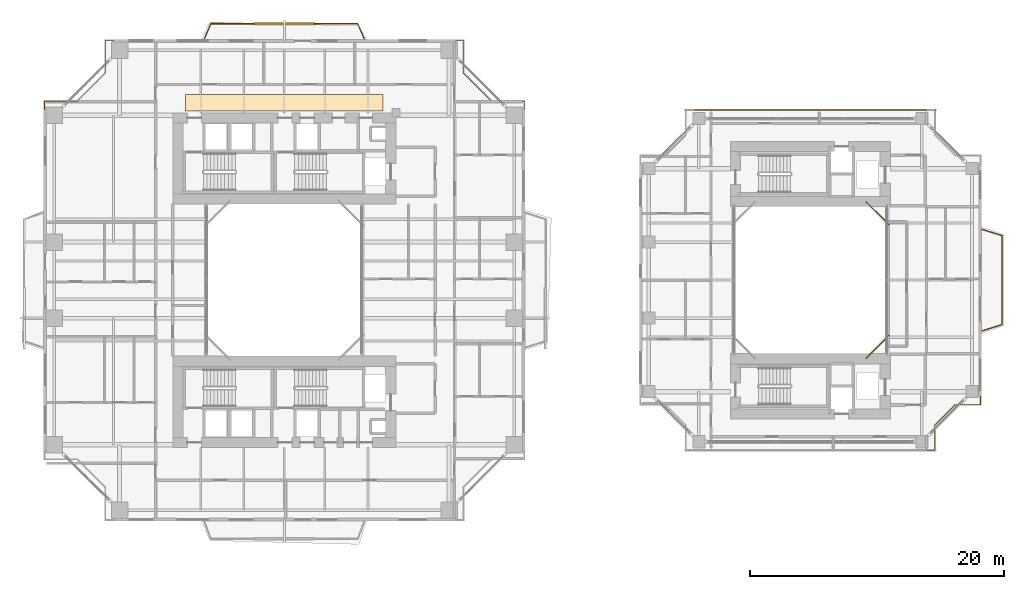
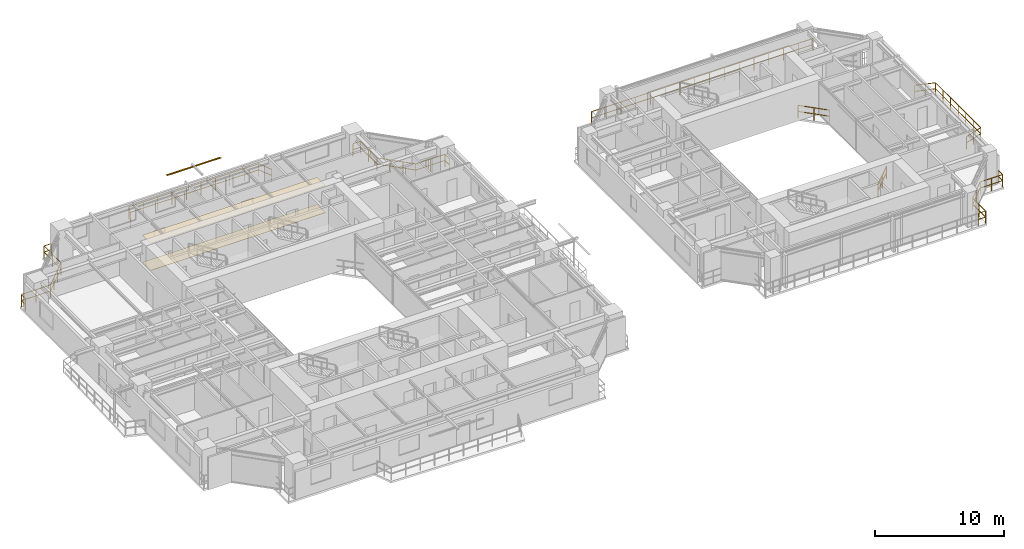
# One storey, part 23 of 24: 8 railings, 2 coverings, 1 shading device.
"""IFC4 building model written with IfcOpenShell, lengths in metres."""

from ifc_helpers import new_model, si_unit, direction, frame, origin, origin_2d, place, context, subcontext, project, spatial, polyline, rectangle, outline, extrude, source, transform, mapped, material, layer, layer_set, material_profile, profile_set, type_object, element, save


model = new_model("IFC4")

# Units and contexts
model_context = context("Model", 3, precision=1e-05, world=origin(), true_north=direction((0.0, 1.0)))
body_context = subcontext(model_context, "Body", "Model", "MODEL_VIEW")
ifc_project = project(units=[si_unit("LENGTHUNIT", "METRE"), si_unit("AREAUNIT", "SQUARE_METRE"), si_unit("VOLUMEUNIT", "CUBIC_METRE"), si_unit("PLANEANGLEUNIT", "RADIAN"), si_unit("MASSUNIT", "GRAM", prefix="KILO"), si_unit("THERMODYNAMICTEMPERATUREUNIT", "KELVIN"), si_unit("POWERUNIT", "WATT")], contexts=[model_context])

# Site, building, storey
site_placement = place(None, origin())
site = spatial("IfcSite", under=ifc_project, at=site_placement, CompositionType="ELEMENT")
building_placement = place(site_placement, origin())
building = spatial("IfcBuilding", under=site, at=building_placement, Name="Qiaomeng Ring Towers", CompositionType="ELEMENT")
storey_placement = place(building_placement, frame((0.0, 0.0, 36.0)))
storey = spatial("IfcBuildingStorey", under=building, at=storey_placement, Name="L09", CompositionType="ELEMENT", Elevation=36.0)

# Coverings
ifc_material_1 = material(Name="Moisture-resistant gypsum ceiling board", Category="gypsum")
ifc_layer_1 = layer(ifc_material_1, 0.030029296875, Name="Moisture-resistant gypsum ceiling board")
ifc_layer_set_1 = layer_set([ifc_layer_1], Name="Moisture-resistant gypsum ceiling board")
covering_type_1 = type_object("IfcCoveringType", Name="ARC-COV-CEIL2", PredefinedType="CEILING", material=ifc_layer_set_1)
covering_1_placement = place(storey_placement, frame((0.0, 0.0, 2.550048828125)))
element("IfcCovering", 1, at=covering_1_placement, inside=storey, type_object=covering_type_1, Name="L09 Corridor Acoustic Ceiling", PredefinedType="CEILING", context=body_context, shape_type="SweptSolid", body=[
    extrude(outline(polyline([(11.199951171875, 36.35009765625), (11.199951171875, 37.64990234375), (26.800048828125, 37.64990234375), (26.800048828125, 36.35009765625), (11.199951171875, 36.35009765625)])), origin(), (0.0, 0.0, 1.0), 0.02490234375),
])
ifc_material_2 = material(Name="Vitrified porcelain floor tile", Category="ceramic")
ifc_layer_2 = layer(ifc_material_2, 0.02001953125, Name="Vitrified porcelain floor tile")
ifc_layer_set_2 = layer_set([ifc_layer_2], Name="Vitrified porcelain floor tile")
covering_type_2 = type_object("IfcCoveringType", Name="ARC-COV-FLR1", PredefinedType="FLOORING", material=ifc_layer_set_2)
covering_2_placement = place(storey_placement, origin())
element("IfcCovering", 2, at=covering_2_placement, inside=storey, type_object=covering_type_2, Name="L09 Corridor Stone Flooring", PredefinedType="FLOORING", context=body_context, shape_type="SweptSolid", body=[
    extrude(outline(polyline([(11.199951171875, 36.35009765625), (11.199951171875, 37.64990234375), (26.800048828125, 37.64990234375), (26.800048828125, 36.35009765625), (11.199951171875, 36.35009765625)])), origin(), (0.0, 0.0, 1.0), 0.02001953125),
])

# Railings
ifc_material_3 = material(Name="Low-E pale-green laminated safety glass", Category="glass")
railing_type = type_object("IfcRailingType", Name="ARC-RL-BAL1", PredefinedType="BALUSTRADE", material=ifc_material_3)
railing_1_placement = place(storey_placement, frame((37.919921875, 36.469970703125, 0.0)))
element("IfcRailing", 3, at=railing_1_placement, inside=storey, type_object=railing_type, Name="L09 Balustrade ARC-BAL-NOTCH1-L09-NE", PredefinedType="BALUSTRADE", context=body_context, shape_type="SweptSolid", body=[
    extrude(rectangle(XDim=0.048095703125, YDim=0.048095703125, at=origin_2d()), frame((0.0, 0.0, 1.17578125), z_axis=(0.0, 1.0, 0.0), x_axis=(-1.0, 0.0, 0.0)), (0.0, 0.0, 1.0), 0.650146484375),
    extrude(rectangle(XDim=0.048095703125, YDim=0.048095703125, at=origin_2d()), frame((0.0, 0.0, 0.60009765625), z_axis=(0.0, 1.0, 0.0), x_axis=(-1.0, 0.0, 0.0)), (0.0, 0.0, 1.0), 0.650146484375),
    extrude(rectangle(XDim=0.048095703125, YDim=0.048095703125, at=origin_2d()), frame((0.0, 0.650146484375, 1.17578125), z_axis=(-1.0, 0.0, 0.0), x_axis=(0.0, -1.0, 0.0)), (0.0, 0.0, 1.0), 2.599853515625),
    extrude(rectangle(XDim=0.048095703125, YDim=0.048095703125, at=origin_2d()), frame((0.0, 0.650146484375, 0.60009765625), z_axis=(-1.0, 0.0, 0.0), x_axis=(0.0, -1.0, 0.0)), (0.0, 0.0, 1.0), 2.599853515625),
    extrude(rectangle(XDim=0.048095703125, YDim=0.048095703125, at=origin_2d()), frame((-2.599853515625, 0.650146484375, 1.17578125), z_axis=(-0.707106781187, 0.707106781187, 0.0), x_axis=(-0.707106781187, -0.707106781187, 0.0)), (0.0, 0.0, 1.0), 3.111083984375),
    extrude(rectangle(XDim=0.048095703125, YDim=0.048095703125, at=origin_2d()), frame((-2.599853515625, 0.650146484375, 0.60009765625), z_axis=(-0.707106781187, 0.707106781187, 0.0), x_axis=(-0.707106781187, -0.707106781187, 0.0)), (0.0, 0.0, 1.0), 3.111083984375),
    extrude(rectangle(XDim=0.048095703125, YDim=0.048095703125, at=origin_2d()), frame((-4.7998046875, 2.85009765625, 1.17578125), z_axis=(0.0, 1.0, 0.0), x_axis=(-1.0, 0.0, 0.0)), (0.0, 0.0, 1.0), 2.599853515625),
    extrude(rectangle(XDim=0.048095703125, YDim=0.048095703125, at=origin_2d()), frame((-4.7998046875, 2.85009765625, 0.60009765625), z_axis=(0.0, 1.0, 0.0), x_axis=(-1.0, 0.0, 0.0)), (0.0, 0.0, 1.0), 2.599853515625),
    extrude(rectangle(XDim=0.048095703125, YDim=0.048095703125, at=origin_2d()), frame((-4.7998046875, 5.449951171875, 1.17578125), z_axis=(-1.0, 0.0, 0.0), x_axis=(0.0, -1.0, 0.0)), (0.0, 0.0, 1.0), 0.650146484375),
    extrude(rectangle(XDim=0.048095703125, YDim=0.048095703125, at=origin_2d()), frame((-4.7998046875, 5.449951171875, 0.60009765625), z_axis=(-1.0, 0.0, 0.0), x_axis=(0.0, -1.0, 0.0)), (0.0, 0.0, 1.0), 0.650146484375),
    extrude(rectangle(XDim=0.0419921875, YDim=0.0419921875, at=origin_2d()), origin(), (0.0, 0.0, 1.0), 1.15185546875),
    extrude(rectangle(XDim=0.0419921875, YDim=0.0419921875, at=origin_2d()), frame((0.0, 0.650146484375, 0.0)), (0.0, 0.0, 1.0), 1.15185546875),
    extrude(rectangle(XDim=0.0419921875, YDim=0.0419921875, at=origin_2d()), frame((-1.2998046875, 0.650146484375, 0.0)), (0.0, 0.0, 1.0), 1.15185546875),
    extrude(rectangle(XDim=0.0419921875, YDim=0.0419921875, at=origin_2d()), frame((-2.599853515625, 0.650146484375, 0.0)), (0.0, 0.0, 1.0), 1.15185546875),
    extrude(rectangle(XDim=0.0419921875, YDim=0.0419921875, at=origin_2d()), frame((-3.333251953125, 1.383544921875, 0.0)), (0.0, 0.0, 1.0), 1.15185546875),
    extrude(rectangle(XDim=0.0419921875, YDim=0.0419921875, at=origin_2d()), frame((-4.06640625, 2.11669921875, 0.0)), (0.0, 0.0, 1.0), 1.15185546875),
    extrude(rectangle(XDim=0.0419921875, YDim=0.0419921875, at=origin_2d()), frame((-4.7998046875, 2.85009765625, 0.0)), (0.0, 0.0, 1.0), 1.15185546875),
    extrude(rectangle(XDim=0.0419921875, YDim=0.0419921875, at=origin_2d()), frame((-4.7998046875, 4.14990234375, 0.0)), (0.0, 0.0, 1.0), 1.15185546875),
    extrude(rectangle(XDim=0.0419921875, YDim=0.0419921875, at=origin_2d()), frame((-4.7998046875, 5.449951171875, 0.0)), (0.0, 0.0, 1.0), 1.15185546875),
    extrude(rectangle(XDim=0.0419921875, YDim=0.0419921875, at=origin_2d()), frame((-5.449951171875, 5.449951171875, 0.0)), (0.0, 0.0, 1.0), 1.15185546875),
])
railing_2_placement = place(storey_placement, frame((5.530029296875, 41.919921875, 0.0)))
element("IfcRailing", 4, at=railing_2_placement, inside=storey, type_object=railing_type, Name="L09 Balustrade ARC-BAL-NOTCH1-L09-NW", PredefinedType="BALUSTRADE", context=body_context, shape_type="SweptSolid", body=[
    extrude(rectangle(XDim=0.048095703125, YDim=0.048095703125, at=origin_2d()), frame((0.0, 0.0, 1.17578125), z_axis=(-1.0, 0.0, 0.0), x_axis=(0.0, -1.0, 0.0)), (0.0, 0.0, 1.0), 0.650146484375),
    extrude(rectangle(XDim=0.048095703125, YDim=0.048095703125, at=origin_2d()), frame((0.0, 0.0, 0.60009765625), z_axis=(-1.0, 0.0, 0.0), x_axis=(0.0, -1.0, 0.0)), (0.0, 0.0, 1.0), 0.650146484375),
    extrude(rectangle(XDim=0.048095703125, YDim=0.048095703125, at=origin_2d()), frame((-0.650146484375, 0.0, 1.17578125), z_axis=(0.0, -1.0, 0.0), x_axis=(1.0, 0.0, 0.0)), (0.0, 0.0, 1.0), 2.599853515625),
    extrude(rectangle(XDim=0.048095703125, YDim=0.048095703125, at=origin_2d()), frame((-0.650146484375, 0.0, 0.60009765625), z_axis=(0.0, -1.0, 0.0), x_axis=(1.0, 0.0, 0.0)), (0.0, 0.0, 1.0), 2.599853515625),
    extrude(rectangle(XDim=0.048095703125, YDim=0.048095703125, at=origin_2d()), frame((-0.650146484375, -2.599853515625, 1.17578125), z_axis=(-0.707106781187, -0.707106781187, 0.0), x_axis=(0.707106781187, -0.707106781187, 0.0)), (0.0, 0.0, 1.0), 3.111083984375),
    extrude(rectangle(XDim=0.048095703125, YDim=0.048095703125, at=origin_2d()), frame((-0.650146484375, -2.599853515625, 0.60009765625), z_axis=(-0.707106781187, -0.707106781187, 0.0), x_axis=(0.707106781187, -0.707106781187, 0.0)), (0.0, 0.0, 1.0), 3.111083984375),
    extrude(rectangle(XDim=0.048095703125, YDim=0.048095703125, at=origin_2d()), frame((-2.85009765625, -4.7998046875, 1.17578125), z_axis=(-1.0, 0.0, 0.0), x_axis=(0.0, -1.0, 0.0)), (0.0, 0.0, 1.0), 2.599853515625),
    extrude(rectangle(XDim=0.048095703125, YDim=0.048095703125, at=origin_2d()), frame((-2.85009765625, -4.7998046875, 0.60009765625), z_axis=(-1.0, 0.0, 0.0), x_axis=(0.0, -1.0, 0.0)), (0.0, 0.0, 1.0), 2.599853515625),
    extrude(rectangle(XDim=0.048095703125, YDim=0.048095703125, at=origin_2d()), frame((-5.449951171875, -4.7998046875, 1.17578125), z_axis=(0.0, -1.0, 0.0), x_axis=(1.0, 0.0, 0.0)), (0.0, 0.0, 1.0), 0.650146484375),
    extrude(rectangle(XDim=0.048095703125, YDim=0.048095703125, at=origin_2d()), frame((-5.449951171875, -4.7998046875, 0.60009765625), z_axis=(0.0, -1.0, 0.0), x_axis=(1.0, 0.0, 0.0)), (0.0, 0.0, 1.0), 0.650146484375),
    extrude(rectangle(XDim=0.0419921875, YDim=0.0419921875, at=origin_2d()), origin(), (0.0, 0.0, 1.0), 1.15185546875),
    extrude(rectangle(XDim=0.0419921875, YDim=0.0419921875, at=origin_2d()), frame((-0.650146484375, 0.0, 0.0)), (0.0, 0.0, 1.0), 1.15185546875),
    extrude(rectangle(XDim=0.0419921875, YDim=0.0419921875, at=origin_2d()), frame((-0.650146484375, -1.2998046875, 0.0)), (0.0, 0.0, 1.0), 1.15185546875),
    extrude(rectangle(XDim=0.0419921875, YDim=0.0419921875, at=origin_2d()), frame((-0.650146484375, -2.599853515625, 0.0)), (0.0, 0.0, 1.0), 1.15185546875),
    extrude(rectangle(XDim=0.0419921875, YDim=0.0419921875, at=origin_2d()), frame((-1.383544921875, -3.333251953125, 0.0)), (0.0, 0.0, 1.0), 1.15185546875),
    extrude(rectangle(XDim=0.0419921875, YDim=0.0419921875, at=origin_2d()), frame((-2.11669921875, -4.06640625, 0.0)), (0.0, 0.0, 1.0), 1.15185546875),
    extrude(rectangle(XDim=0.0419921875, YDim=0.0419921875, at=origin_2d()), frame((-2.85009765625, -4.7998046875, 0.0)), (0.0, 0.0, 1.0), 1.15185546875),
    extrude(rectangle(XDim=0.0419921875, YDim=0.0419921875, at=origin_2d()), frame((-4.14990234375, -4.7998046875, 0.0)), (0.0, 0.0, 1.0), 1.15185546875),
    extrude(rectangle(XDim=0.0419921875, YDim=0.0419921875, at=origin_2d()), frame((-5.449951171875, -4.7998046875, 0.0)), (0.0, 0.0, 1.0), 1.15185546875),
    extrude(rectangle(XDim=0.0419921875, YDim=0.0419921875, at=origin_2d()), frame((-5.449951171875, -5.449951171875, 0.0)), (0.0, 0.0, 1.0), 1.15185546875),
])
railing_3_placement = place(storey_placement, frame((12.699951171875, 42.050048828125, 0.0)))
element("IfcRailing", 5, at=railing_3_placement, inside=storey, type_object=railing_type, Name="L09 Balustrade ARC-BAL-L09-T1-N", PredefinedType="BALUSTRADE", context=body_context, shape_type="SweptSolid", body=[
    extrude(rectangle(XDim=0.048095703125, YDim=0.048095703125, at=origin_2d()), frame((0.0, 0.0, 1.17578125), z_axis=(0.39299272826, 0.919541579014, 0.0), x_axis=(-0.919541579014, 0.39299272826, 0.0)), (0.0, 0.0, 1.0), 1.272216796875),
    extrude(rectangle(XDim=0.048095703125, YDim=0.048095703125, at=origin_2d()), frame((0.0, 0.0, 0.60009765625), z_axis=(0.39299272826, 0.919541579014, 0.0), x_axis=(-0.919541579014, 0.39299272826, 0.0)), (0.0, 0.0, 1.0), 1.272216796875),
    extrude(rectangle(XDim=0.048095703125, YDim=0.048095703125, at=origin_2d()), frame((0.5, 1.169921875, 1.17578125), z_axis=(1.0, 0.0, 0.0), x_axis=(0.0, 1.0, 0.0)), (0.0, 0.0, 1.0), 11.60009765625),
    extrude(rectangle(XDim=0.048095703125, YDim=0.048095703125, at=origin_2d()), frame((0.5, 1.169921875, 0.60009765625), z_axis=(1.0, 0.0, 0.0), x_axis=(0.0, 1.0, 0.0)), (0.0, 0.0, 1.0), 11.60009765625),
    extrude(rectangle(XDim=0.048095703125, YDim=0.048095703125, at=origin_2d()), frame((12.10009765625, 1.169921875, 1.17578125), z_axis=(0.39299272826, -0.919541579014, 0.0), x_axis=(0.919541579014, 0.39299272826, 0.0)), (0.0, 0.0, 1.0), 1.272216796875),
    extrude(rectangle(XDim=0.048095703125, YDim=0.048095703125, at=origin_2d()), frame((12.10009765625, 1.169921875, 0.60009765625), z_axis=(0.39299272826, -0.919541579014, 0.0), x_axis=(0.919541579014, 0.39299272826, 0.0)), (0.0, 0.0, 1.0), 1.272216796875),
    extrude(rectangle(XDim=0.0419921875, YDim=0.0419921875, at=origin_2d()), origin(), (0.0, 0.0, 1.0), 1.15185546875),
    extrude(rectangle(XDim=0.0419921875, YDim=0.0419921875, at=origin_2d()), frame((0.5, 1.169921875, 0.0)), (0.0, 0.0, 1.0), 1.15185546875),
    extrude(rectangle(XDim=0.0419921875, YDim=0.0419921875, at=origin_2d()), frame((1.788818359375, 1.169921875, 0.0)), (0.0, 0.0, 1.0), 1.15185546875),
    extrude(rectangle(XDim=0.0419921875, YDim=0.0419921875, at=origin_2d()), frame((3.077880859375, 1.169921875, 0.0)), (0.0, 0.0, 1.0), 1.15185546875),
    extrude(rectangle(XDim=0.0419921875, YDim=0.0419921875, at=origin_2d()), frame((4.36669921875, 1.169921875, 0.0)), (0.0, 0.0, 1.0), 1.15185546875),
    extrude(rectangle(XDim=0.0419921875, YDim=0.0419921875, at=origin_2d()), frame((5.655517578125, 1.169921875, 0.0)), (0.0, 0.0, 1.0), 1.15185546875),
    extrude(rectangle(XDim=0.0419921875, YDim=0.0419921875, at=origin_2d()), frame((6.944580078125, 1.169921875, 0.0)), (0.0, 0.0, 1.0), 1.15185546875),
    extrude(rectangle(XDim=0.0419921875, YDim=0.0419921875, at=origin_2d()), frame((8.2333984375, 1.169921875, 0.0)), (0.0, 0.0, 1.0), 1.15185546875),
    extrude(rectangle(XDim=0.0419921875, YDim=0.0419921875, at=origin_2d()), frame((9.522216796875, 1.169921875, 0.0)), (0.0, 0.0, 1.0), 1.15185546875),
    extrude(rectangle(XDim=0.0419921875, YDim=0.0419921875, at=origin_2d()), frame((10.811279296875, 1.169921875, 0.0)), (0.0, 0.0, 1.0), 1.15185546875),
    extrude(rectangle(XDim=0.0419921875, YDim=0.0419921875, at=origin_2d()), frame((12.10009765625, 1.169921875, 0.0)), (0.0, 0.0, 1.0), 1.15185546875),
    extrude(rectangle(XDim=0.0419921875, YDim=0.0419921875, at=origin_2d()), frame((12.60009765625, 0.0, 0.0)), (0.0, 0.0, 1.0), 1.15185546875),
])
railing_4_placement = place(storey_placement, frame((64.8798828125, 16.820068359375, 0.0)))
element("IfcRailing", 6, at=railing_4_placement, inside=storey, type_object=railing_type, Name="L09 Balustrade ARC-BAL-WELL2-L09-1", PredefinedType="BALUSTRADE", context=body_context, shape_type="SweptSolid", body=[
    extrude(rectangle(XDim=0.048095703125, YDim=0.048095703125, at=origin_2d()), frame((0.0, 0.0, 1.17578125), z_axis=(0.707106781187, 0.707106781187, 0.0), x_axis=(-0.707106781187, 0.707106781187, 0.0)), (0.0, 0.0, 1.0), 2.545654296875),
    extrude(rectangle(XDim=0.048095703125, YDim=0.048095703125, at=origin_2d()), frame((0.0, 0.0, 0.60009765625), z_axis=(0.707106781187, 0.707106781187, 0.0), x_axis=(-0.707106781187, 0.707106781187, 0.0)), (0.0, 0.0, 1.0), 2.545654296875),
    extrude(rectangle(XDim=0.0419921875, YDim=0.0419921875, at=origin_2d()), origin(), (0.0, 0.0, 1.0), 1.15185546875),
    extrude(rectangle(XDim=0.0419921875, YDim=0.0419921875, at=origin_2d()), frame((0.89990234375, 0.89990234375, 0.0)), (0.0, 0.0, 1.0), 1.15185546875),
    extrude(rectangle(XDim=0.0419921875, YDim=0.0419921875, at=origin_2d()), frame((1.800048828125, 1.800048828125, 0.0)), (0.0, 0.0, 1.0), 1.15185546875),
])
railing_5_placement = place(storey_placement, frame((66.679931640625, 27.3798828125, 0.0)))
element("IfcRailing", 7, at=railing_5_placement, inside=storey, type_object=railing_type, Name="L09 Balustrade ARC-BAL-WELL2-L09-2", PredefinedType="BALUSTRADE", context=body_context, shape_type="SweptSolid", body=[
    extrude(rectangle(XDim=0.048095703125, YDim=0.048095703125, at=origin_2d()), frame((0.0, 0.0, 1.17578125), z_axis=(-0.707106781187, 0.707106781187, 0.0), x_axis=(-0.707106781187, -0.707106781187, 0.0)), (0.0, 0.0, 1.0), 2.545654296875),
    extrude(rectangle(XDim=0.048095703125, YDim=0.048095703125, at=origin_2d()), frame((0.0, 0.0, 0.60009765625), z_axis=(-0.707106781187, 0.707106781187, 0.0), x_axis=(-0.707106781187, -0.707106781187, 0.0)), (0.0, 0.0, 1.0), 2.545654296875),
    extrude(rectangle(XDim=0.0419921875, YDim=0.0419921875, at=origin_2d()), origin(), (0.0, 0.0, 1.0), 1.15185546875),
    extrude(rectangle(XDim=0.0419921875, YDim=0.0419921875, at=origin_2d()), frame((-0.89990234375, 0.89990234375, 0.0)), (0.0, 0.0, 1.0), 1.15185546875),
    extrude(rectangle(XDim=0.0419921875, YDim=0.0419921875, at=origin_2d()), frame((-1.800048828125, 1.800048828125, 0.0)), (0.0, 0.0, 1.0), 1.15185546875),
])
railing_6_placement = place(storey_placement, frame((69.669921875, 9.580078125, 0.0)))
element("IfcRailing", 8, at=railing_6_placement, inside=storey, type_object=railing_type, Name="L09 Balustrade ARC-BAL-NOTCH2-L09-SE", PredefinedType="BALUSTRADE", context=body_context, shape_type="SweptSolid", body=[
    extrude(rectangle(XDim=0.048095703125, YDim=0.048095703125, at=origin_2d()), frame((0.0, 0.0, 1.17578125), z_axis=(1.0, 0.0, 0.0), x_axis=(0.0, 1.0, 0.0)), (0.0, 0.0, 1.0), 0.650146484375),
    extrude(rectangle(XDim=0.048095703125, YDim=0.048095703125, at=origin_2d()), frame((0.0, 0.0, 0.60009765625), z_axis=(1.0, 0.0, 0.0), x_axis=(0.0, 1.0, 0.0)), (0.0, 0.0, 1.0), 0.650146484375),
    extrude(rectangle(XDim=0.048095703125, YDim=0.048095703125, at=origin_2d()), frame((0.650146484375, 0.0, 1.17578125), z_axis=(0.0, 1.0, 0.0), x_axis=(-1.0, 0.0, 0.0)), (0.0, 0.0, 1.0), 2.0),
    extrude(rectangle(XDim=0.048095703125, YDim=0.048095703125, at=origin_2d()), frame((0.650146484375, 0.0, 0.60009765625), z_axis=(0.0, 1.0, 0.0), x_axis=(-1.0, 0.0, 0.0)), (0.0, 0.0, 1.0), 2.0),
    extrude(rectangle(XDim=0.048095703125, YDim=0.048095703125, at=origin_2d()), frame((0.650146484375, 2.0, 1.17578125), z_axis=(0.707106781187, 0.707106781187, 0.0), x_axis=(-0.707106781187, 0.707106781187, 0.0)), (0.0, 0.0, 1.0), 2.262451171875),
    extrude(rectangle(XDim=0.048095703125, YDim=0.048095703125, at=origin_2d()), frame((0.650146484375, 2.0, 0.60009765625), z_axis=(0.707106781187, 0.707106781187, 0.0), x_axis=(-0.707106781187, 0.707106781187, 0.0)), (0.0, 0.0, 1.0), 2.262451171875),
    extrude(rectangle(XDim=0.048095703125, YDim=0.048095703125, at=origin_2d()), frame((2.25, 3.599853515625, 1.17578125), z_axis=(1.0, 0.0, 0.0), x_axis=(0.0, 1.0, 0.0)), (0.0, 0.0, 1.0), 2.0),
    extrude(rectangle(XDim=0.048095703125, YDim=0.048095703125, at=origin_2d()), frame((2.25, 3.599853515625, 0.60009765625), z_axis=(1.0, 0.0, 0.0), x_axis=(0.0, 1.0, 0.0)), (0.0, 0.0, 1.0), 2.0),
    extrude(rectangle(XDim=0.048095703125, YDim=0.048095703125, at=origin_2d()), frame((4.25, 3.599853515625, 1.17578125), z_axis=(0.0, 1.0, 0.0), x_axis=(-1.0, 0.0, 0.0)), (0.0, 0.0, 1.0), 0.650146484375),
    extrude(rectangle(XDim=0.048095703125, YDim=0.048095703125, at=origin_2d()), frame((4.25, 3.599853515625, 0.60009765625), z_axis=(0.0, 1.0, 0.0), x_axis=(-1.0, 0.0, 0.0)), (0.0, 0.0, 1.0), 0.650146484375),
    extrude(rectangle(XDim=0.0419921875, YDim=0.0419921875, at=origin_2d()), origin(), (0.0, 0.0, 1.0), 1.15185546875),
    extrude(rectangle(XDim=0.0419921875, YDim=0.0419921875, at=origin_2d()), frame((0.650146484375, 0.0, 0.0)), (0.0, 0.0, 1.0), 1.15185546875),
    extrude(rectangle(XDim=0.0419921875, YDim=0.0419921875, at=origin_2d()), frame((0.650146484375, 1.0, 0.0)), (0.0, 0.0, 1.0), 1.15185546875),
    extrude(rectangle(XDim=0.0419921875, YDim=0.0419921875, at=origin_2d()), frame((0.650146484375, 2.0, 0.0)), (0.0, 0.0, 1.0), 1.15185546875),
    extrude(rectangle(XDim=0.0419921875, YDim=0.0419921875, at=origin_2d()), frame((1.4501953125, 2.7998046875, 0.0)), (0.0, 0.0, 1.0), 1.15185546875),
    extrude(rectangle(XDim=0.0419921875, YDim=0.0419921875, at=origin_2d()), frame((2.25, 3.599853515625, 0.0)), (0.0, 0.0, 1.0), 1.15185546875),
    extrude(rectangle(XDim=0.0419921875, YDim=0.0419921875, at=origin_2d()), frame((3.25, 3.599853515625, 0.0)), (0.0, 0.0, 1.0), 1.15185546875),
    extrude(rectangle(XDim=0.0419921875, YDim=0.0419921875, at=origin_2d()), frame((4.25, 3.599853515625, 0.0)), (0.0, 0.0, 1.0), 1.15185546875),
    extrude(rectangle(XDim=0.0419921875, YDim=0.0419921875, at=origin_2d()), frame((4.25, 4.25, 0.0)), (0.0, 0.0, 1.0), 1.15185546875),
])
railing_7_placement = place(storey_placement, frame((50.60009765625, 36.419921875, 0.0)))
element("IfcRailing", 9, at=railing_7_placement, inside=storey, type_object=railing_type, Name="L09 Balustrade ARC-BAL-T2N-L09", PredefinedType="BALUSTRADE", context=body_context, shape_type="SweptSolid", body=[
    extrude(rectangle(XDim=0.048095703125, YDim=0.048095703125, at=origin_2d()), frame((0.0, 0.0, 1.17578125), z_axis=(1.0, 0.0, 0.0), x_axis=(0.0, 1.0, 0.0)), (0.0, 0.0, 1.0), 19.7998046875),
    extrude(rectangle(XDim=0.048095703125, YDim=0.048095703125, at=origin_2d()), frame((0.0, 0.0, 0.60009765625), z_axis=(1.0, 0.0, 0.0), x_axis=(0.0, 1.0, 0.0)), (0.0, 0.0, 1.0), 19.7998046875),
    extrude(rectangle(XDim=0.0419921875, YDim=0.0419921875, at=origin_2d()), origin(), (0.0, 0.0, 1.0), 1.15185546875),
    extrude(rectangle(XDim=0.0419921875, YDim=0.0419921875, at=origin_2d()), frame((1.320068359375, 0.0, 0.0)), (0.0, 0.0, 1.0), 1.15185546875),
    extrude(rectangle(XDim=0.0419921875, YDim=0.0419921875, at=origin_2d()), frame((2.639892578125, 0.0, 0.0)), (0.0, 0.0, 1.0), 1.15185546875),
    extrude(rectangle(XDim=0.0419921875, YDim=0.0419921875, at=origin_2d()), frame((3.9599609375, 0.0, 0.0)), (0.0, 0.0, 1.0), 1.15185546875),
    extrude(rectangle(XDim=0.0419921875, YDim=0.0419921875, at=origin_2d()), frame((5.280029296875, 0.0, 0.0)), (0.0, 0.0, 1.0), 1.15185546875),
    extrude(rectangle(XDim=0.0419921875, YDim=0.0419921875, at=origin_2d()), frame((6.599853515625, 0.0, 0.0)), (0.0, 0.0, 1.0), 1.15185546875),
    extrude(rectangle(XDim=0.0419921875, YDim=0.0419921875, at=origin_2d()), frame((7.919921875, 0.0, 0.0)), (0.0, 0.0, 1.0), 1.15185546875),
    extrude(rectangle(XDim=0.0419921875, YDim=0.0419921875, at=origin_2d()), frame((9.239990234375, 0.0, 0.0)), (0.0, 0.0, 1.0), 1.15185546875),
    extrude(rectangle(XDim=0.0419921875, YDim=0.0419921875, at=origin_2d()), frame((10.559814453125, 0.0, 0.0)), (0.0, 0.0, 1.0), 1.15185546875),
    extrude(rectangle(XDim=0.0419921875, YDim=0.0419921875, at=origin_2d()), frame((11.8798828125, 0.0, 0.0)), (0.0, 0.0, 1.0), 1.15185546875),
    extrude(rectangle(XDim=0.0419921875, YDim=0.0419921875, at=origin_2d()), frame((13.199951171875, 0.0, 0.0)), (0.0, 0.0, 1.0), 1.15185546875),
    extrude(rectangle(XDim=0.0419921875, YDim=0.0419921875, at=origin_2d()), frame((14.519775390625, 0.0, 0.0)), (0.0, 0.0, 1.0), 1.15185546875),
    extrude(rectangle(XDim=0.0419921875, YDim=0.0419921875, at=origin_2d()), frame((15.83984375, 0.0, 0.0)), (0.0, 0.0, 1.0), 1.15185546875),
    extrude(rectangle(XDim=0.0419921875, YDim=0.0419921875, at=origin_2d()), frame((17.159912109375, 0.0, 0.0)), (0.0, 0.0, 1.0), 1.15185546875),
    extrude(rectangle(XDim=0.0419921875, YDim=0.0419921875, at=origin_2d()), frame((18.479736328125, 0.0, 0.0)), (0.0, 0.0, 1.0), 1.15185546875),
    extrude(rectangle(XDim=0.0419921875, YDim=0.0419921875, at=origin_2d()), frame((19.7998046875, 0.0, 0.0)), (0.0, 0.0, 1.0), 1.15185546875),
])
railing_8_placement = place(storey_placement, frame((74.050048828125, 19.0, 0.0)))
element("IfcRailing", 10, at=railing_8_placement, inside=storey, type_object=railing_type, Name="L09 Balustrade ARC-BAL-L09-T2-E", PredefinedType="BALUSTRADE", context=body_context, shape_type="SweptSolid", body=[
    extrude(rectangle(XDim=0.048095703125, YDim=0.048095703125, at=origin_2d()), frame((0.0, 0.0, 1.17578125), z_axis=(0.952849860715, 0.303442157479, 0.0), x_axis=(-0.303442157479, 0.952849860715, 0.0)), (0.0, 0.0, 1.0), 1.647705078125),
    extrude(rectangle(XDim=0.048095703125, YDim=0.048095703125, at=origin_2d()), frame((0.0, 0.0, 0.60009765625), z_axis=(0.952849860715, 0.303442157479, 0.0), x_axis=(-0.303442157479, 0.952849860715, 0.0)), (0.0, 0.0, 1.0), 1.647705078125),
    extrude(rectangle(XDim=0.048095703125, YDim=0.048095703125, at=origin_2d()), frame((1.570068359375, 0.5, 1.17578125), z_axis=(0.0, 1.0, 0.0), x_axis=(-1.0, 0.0, 0.0)), (0.0, 0.0, 1.0), 7.0),
    extrude(rectangle(XDim=0.048095703125, YDim=0.048095703125, at=origin_2d()), frame((1.570068359375, 0.5, 0.60009765625), z_axis=(0.0, 1.0, 0.0), x_axis=(-1.0, 0.0, 0.0)), (0.0, 0.0, 1.0), 7.0),
    extrude(rectangle(XDim=0.048095703125, YDim=0.048095703125, at=origin_2d()), frame((1.570068359375, 7.5, 1.17578125), z_axis=(-0.952849860715, 0.303442157479, 0.0), x_axis=(-0.303442157479, -0.952849860715, 0.0)), (0.0, 0.0, 1.0), 1.647705078125),
    extrude(rectangle(XDim=0.048095703125, YDim=0.048095703125, at=origin_2d()), frame((1.570068359375, 7.5, 0.60009765625), z_axis=(-0.952849860715, 0.303442157479, 0.0), x_axis=(-0.303442157479, -0.952849860715, 0.0)), (0.0, 0.0, 1.0), 1.647705078125),
    extrude(rectangle(XDim=0.0419921875, YDim=0.0419921875, at=origin_2d()), origin(), (0.0, 0.0, 1.0), 1.15185546875),
    extrude(rectangle(XDim=0.0419921875, YDim=0.0419921875, at=origin_2d()), frame((0.78515625, 0.25, 0.0)), (0.0, 0.0, 1.0), 1.15185546875),
    extrude(rectangle(XDim=0.0419921875, YDim=0.0419921875, at=origin_2d()), frame((1.570068359375, 0.5, 0.0)), (0.0, 0.0, 1.0), 1.15185546875),
    extrude(rectangle(XDim=0.0419921875, YDim=0.0419921875, at=origin_2d()), frame((1.570068359375, 1.666748046875, 0.0)), (0.0, 0.0, 1.0), 1.15185546875),
    extrude(rectangle(XDim=0.0419921875, YDim=0.0419921875, at=origin_2d()), frame((1.570068359375, 2.833251953125, 0.0)), (0.0, 0.0, 1.0), 1.15185546875),
    extrude(rectangle(XDim=0.0419921875, YDim=0.0419921875, at=origin_2d()), frame((1.570068359375, 4.0, 0.0)), (0.0, 0.0, 1.0), 1.15185546875),
    extrude(rectangle(XDim=0.0419921875, YDim=0.0419921875, at=origin_2d()), frame((1.570068359375, 5.166748046875, 0.0)), (0.0, 0.0, 1.0), 1.15185546875),
    extrude(rectangle(XDim=0.0419921875, YDim=0.0419921875, at=origin_2d()), frame((1.570068359375, 6.333251953125, 0.0)), (0.0, 0.0, 1.0), 1.15185546875),
    extrude(rectangle(XDim=0.0419921875, YDim=0.0419921875, at=origin_2d()), frame((1.570068359375, 7.5, 0.0)), (0.0, 0.0, 1.0), 1.15185546875),
    extrude(rectangle(XDim=0.0419921875, YDim=0.0419921875, at=origin_2d()), frame((0.78515625, 7.75, 0.0)), (0.0, 0.0, 1.0), 1.15185546875),
    extrude(rectangle(XDim=0.0419921875, YDim=0.0419921875, at=origin_2d()), frame((0.0, 8.0, 0.0)), (0.0, 0.0, 1.0), 1.15185546875),
])

# Shading device
ifc_material_4 = material(Name="Fluorocarbon dark-grey aluminium", Category="aluminium")
ifc_material_profile = material_profile(ifc_material_4, rectangle(XDim=0.14990234375, YDim=0.034912109375, at=origin_2d()), Name="LV BLADE 150x35")
ifc_profile_set = profile_set([ifc_material_profile], Name="Fluorocarbon dark-grey aluminium")
shading_device_type = type_object("IfcShadingDeviceType", Name="ARC-SHD-SUN", PredefinedType="AWNING", material=ifc_profile_set)
shared_shape = source(origin(), body_context, "Body", "SweptSolid", [
    extrude(rectangle(XDim=0.14990234375, YDim=0.034912109375, at=origin_2d()), origin(), (0.0, 0.0, 1.0), 4.7998046875),
])
shading_device_placement = place(storey_placement, frame((16.60009765625, 43.219970703125, 2.969970703125), z_axis=(1.0, 0.0, 0.0), x_axis=(0.0, 1.0, 0.0)))
element("IfcShadingDevice", 11, at=shading_device_placement, inside=storey, type_object=shading_device_type, Name="L09 Ventilated Outer-Skin Sunshade N", PredefinedType="AWNING", context=body_context, shape_type="MappedRepresentation", body=[
    mapped(shared_shape, transform((0.0, 0.0, 0.0), x_axis=(1.0, 0.0, 0.0), y_axis=(0.0, 1.0, 0.0), z_axis=(0.0, 0.0, 1.0), scale=1.0)),
])

save(model, "model.ifc")
